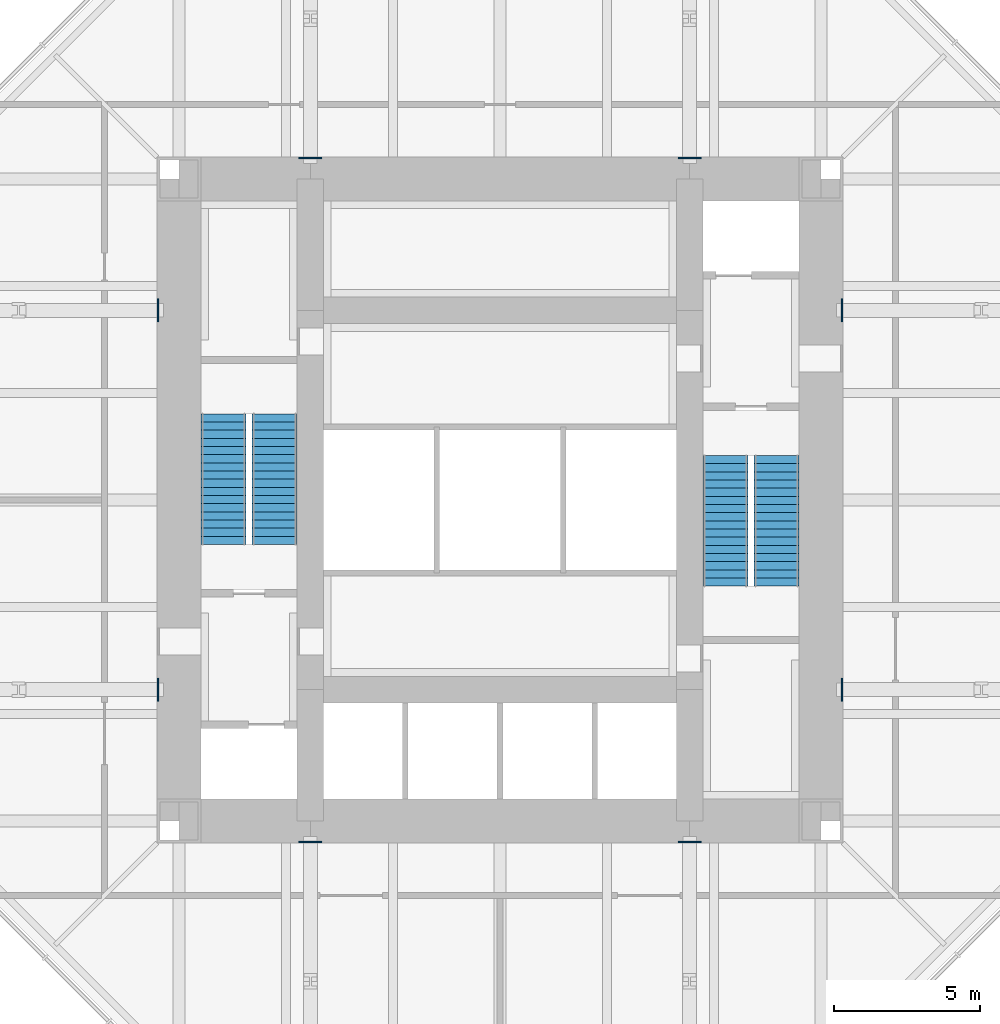
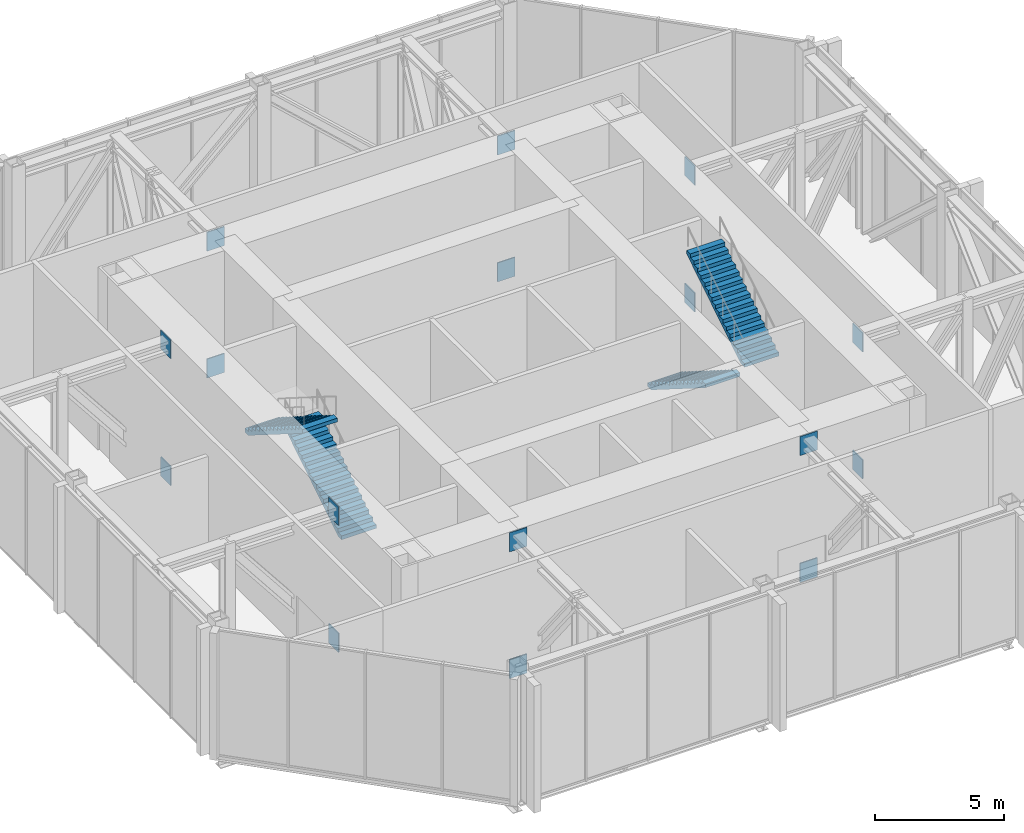
# One storey, part 10 of 11: 16 discrete accessories, 4 stair flights, 2 elements without a shape of their own.
"""IFC4 building model written with IfcOpenShell, lengths in metres."""

from ifc_helpers import new_model, si_unit, direction, frame, origin, origin_2d, place, context, subcontext, project, spatial, polyline, rectangle, outline, extrude, material, type_object, element, aggregate, save


model = new_model("IFC4")

# Units and contexts
model_context = context("Model", 3, precision=1e-05, world=origin(), true_north=direction((0.0, 1.0)))
body_context = subcontext(model_context, "Body", "Model", "MODEL_VIEW")
ifc_project = project(units=[si_unit("LENGTHUNIT", "METRE"), si_unit("AREAUNIT", "SQUARE_METRE"), si_unit("VOLUMEUNIT", "CUBIC_METRE"), si_unit("PLANEANGLEUNIT", "RADIAN"), si_unit("MASSUNIT", "GRAM", prefix="KILO")], contexts=[model_context])

# Site, building, storey
site_placement = place(None, origin())
site = spatial("IfcSite", under=ifc_project, at=site_placement, CompositionType="ELEMENT")
building_placement = place(site_placement, origin())
building = spatial("IfcBuilding", under=site, at=building_placement, Name="Trevanion Tower", CompositionType="ELEMENT")
storey_placement = place(building_placement, frame((0.0, 0.0, 257.199951171875)))
storey = spatial("IfcBuildingStorey", under=building, at=storey_placement, Name="L63", CompositionType="ELEMENT", Elevation=257.199951171875)

# Stair, stair flights
ifc_material_1 = material(Name="Concrete 5,000 psi on steel stringers", Category="concrete")
stair_type = type_object("IfcStairType", Name="ST stair", PredefinedType="HALF_TURN_STAIR", material=ifc_material_1)
stair_1_placement = place(storey_placement, origin())
stair_1 = element("IfcStair", 1, at=stair_1_placement, inside=storey, type_object=stair_type, Name="ST1 L63", PredefinedType="HALF_TURN_STAIR")
ifc_material_2 = material(Name="Concrete 5,000 psi in steel pan", Category="concrete")
stair_flight_type = type_object("IfcStairFlightType", Name="STF stair flight", PredefinedType="STRAIGHT", material=ifc_material_2)
stair_flight_1_placement = place(storey_placement, frame((7.72509765625, 1.52490234375, 0.0), z_axis=(0.0, 0.0, 1.0), x_axis=(0.0, -1.0, 0.0)))
stair_flight_1 = element("IfcStairFlight", 2, at=stair_flight_1_placement, type_object=stair_flight_type, Name="ST1 flight 1", NumberOfRisers=17, NumberOfTreads=16, PredefinedType="STRAIGHT", RiserHeight=0.176470588, TreadLength=0.28, context=body_context, shape_type="SweptSolid", body=[
    extrude(outline(polyline([(0.0, 0.0), (0.0, 0.176513671875), (0.280029296875, 0.176513671875), (0.280029296875, 0.35302734375), (0.56005859375, 0.35302734375), (0.56005859375, 0.529296875), (0.840087890625, 0.529296875), (0.840087890625, 0.705810546875), (1.1201171875, 0.705810546875), (1.1201171875, 0.88232421875), (1.39990234375, 0.88232421875), (1.39990234375, 1.058837890625), (1.679931640625, 1.058837890625), (1.679931640625, 1.2353515625), (1.9599609375, 1.2353515625), (1.9599609375, 1.411865234375), (2.239990234375, 1.411865234375), (2.239990234375, 1.588134765625), (2.52001953125, 1.588134765625), (2.52001953125, 1.7646484375), (2.800048828125, 1.7646484375), (2.800048828125, 1.941162109375), (3.080078125, 1.941162109375), (3.080078125, 2.11767578125), (3.360107421875, 2.11767578125), (3.360107421875, 2.294189453125), (3.639892578125, 2.294189453125), (3.639892578125, 2.470703125), (3.919921875, 2.470703125), (3.919921875, 2.64697265625), (4.199951171875, 2.64697265625), (4.199951171875, 2.823486328125), (4.47998046875, 2.823486328125), (4.47998046875, 3.0), (4.47998046875, 2.646240234375), (0.28125, 0.0), (0.0, 0.0)])), frame((0.0, 0.77490234375, 0.0), z_axis=(0.0, -1.0, 0.0), x_axis=(1.0, 0.0, 0.0)), (0.0, 0.0, 1.0), 1.550048828125),
])
stair_flight_2_placement = place(storey_placement, frame((9.47509765625, -2.955078125, 3.0), z_axis=(0.0, 0.0, 1.0), x_axis=(0.0, 1.0, 0.0)))
stair_flight_2 = element("IfcStairFlight", 3, at=stair_flight_2_placement, type_object=stair_flight_type, Name="ST1 flight 2", NumberOfRisers=17, NumberOfTreads=16, PredefinedType="STRAIGHT", RiserHeight=0.176470588, TreadLength=0.28, context=body_context, shape_type="SweptSolid", body=[
    extrude(outline(polyline([(0.0, 0.0), (0.0, 0.176513671875), (0.280029296875, 0.176513671875), (0.280029296875, 0.35302734375), (0.56005859375, 0.35302734375), (0.56005859375, 0.529296875), (0.840087890625, 0.529296875), (0.840087890625, 0.705810546875), (1.1201171875, 0.705810546875), (1.1201171875, 0.88232421875), (1.39990234375, 0.88232421875), (1.39990234375, 1.058837890625), (1.679931640625, 1.058837890625), (1.679931640625, 1.2353515625), (1.9599609375, 1.2353515625), (1.9599609375, 1.411865234375), (2.239990234375, 1.411865234375), (2.239990234375, 1.588134765625), (2.52001953125, 1.588134765625), (2.52001953125, 1.7646484375), (2.800048828125, 1.7646484375), (2.800048828125, 1.941162109375), (3.080078125, 1.941162109375), (3.080078125, 2.11767578125), (3.360107421875, 2.11767578125), (3.360107421875, 2.294189453125), (3.639892578125, 2.294189453125), (3.639892578125, 2.470703125), (3.919921875, 2.470703125), (3.919921875, 2.64697265625), (4.199951171875, 2.64697265625), (4.199951171875, 2.823486328125), (4.47998046875, 2.823486328125), (4.47998046875, 3.0), (4.47998046875, 2.646240234375), (0.28125, 0.0), (0.0, 0.0)])), frame((0.0, 0.77490234375, 0.0), z_axis=(0.0, -1.0, 0.0), x_axis=(1.0, 0.0, 0.0)), (0.0, 0.0, 1.0), 1.550048828125),
])
aggregate(stair_1, [stair_flight_1, stair_flight_2])

stair_2_placement = place(storey_placement, origin())
stair_2 = element("IfcStair", 4, at=stair_2_placement, inside=storey, type_object=stair_type, Name="ST2 L63", PredefinedType="HALF_TURN_STAIR")
stair_flight_3_placement = place(storey_placement, frame((-7.72509765625, -1.52490234375, 0.0), z_axis=(0.0, 0.0, 1.0), x_axis=(0.0, 1.0, 0.0)))
stair_flight_3 = element("IfcStairFlight", 5, at=stair_flight_3_placement, type_object=stair_flight_type, Name="ST2 flight 1", NumberOfRisers=17, NumberOfTreads=16, PredefinedType="STRAIGHT", RiserHeight=0.176470588, TreadLength=0.28, context=body_context, shape_type="SweptSolid", body=[
    extrude(outline(polyline([(0.0, 0.0), (0.0, 0.176513671875), (0.280029296875, 0.176513671875), (0.280029296875, 0.35302734375), (0.56005859375, 0.35302734375), (0.56005859375, 0.529296875), (0.840087890625, 0.529296875), (0.840087890625, 0.705810546875), (1.1201171875, 0.705810546875), (1.1201171875, 0.88232421875), (1.39990234375, 0.88232421875), (1.39990234375, 1.058837890625), (1.679931640625, 1.058837890625), (1.679931640625, 1.2353515625), (1.9599609375, 1.2353515625), (1.9599609375, 1.411865234375), (2.239990234375, 1.411865234375), (2.239990234375, 1.588134765625), (2.52001953125, 1.588134765625), (2.52001953125, 1.7646484375), (2.800048828125, 1.7646484375), (2.800048828125, 1.941162109375), (3.080078125, 1.941162109375), (3.080078125, 2.11767578125), (3.360107421875, 2.11767578125), (3.360107421875, 2.294189453125), (3.639892578125, 2.294189453125), (3.639892578125, 2.470703125), (3.919921875, 2.470703125), (3.919921875, 2.64697265625), (4.199951171875, 2.64697265625), (4.199951171875, 2.823486328125), (4.47998046875, 2.823486328125), (4.47998046875, 3.0), (4.47998046875, 2.646240234375), (0.28125, 0.0), (0.0, 0.0)])), frame((0.0, 0.77490234375, 0.0), z_axis=(0.0, -1.0, 0.0), x_axis=(1.0, 0.0, 0.0)), (0.0, 0.0, 1.0), 1.550048828125),
])
stair_flight_4_placement = place(storey_placement, frame((-9.47509765625, 2.955078125, 3.0), z_axis=(0.0, 0.0, 1.0), x_axis=(0.0, -1.0, 0.0)))
stair_flight_4 = element("IfcStairFlight", 6, at=stair_flight_4_placement, type_object=stair_flight_type, Name="ST2 flight 2", NumberOfRisers=17, NumberOfTreads=16, PredefinedType="STRAIGHT", RiserHeight=0.176470588, TreadLength=0.28, context=body_context, shape_type="SweptSolid", body=[
    extrude(outline(polyline([(0.0, 0.0), (0.0, 0.176513671875), (0.280029296875, 0.176513671875), (0.280029296875, 0.35302734375), (0.56005859375, 0.35302734375), (0.56005859375, 0.529296875), (0.840087890625, 0.529296875), (0.840087890625, 0.705810546875), (1.1201171875, 0.705810546875), (1.1201171875, 0.88232421875), (1.39990234375, 0.88232421875), (1.39990234375, 1.058837890625), (1.679931640625, 1.058837890625), (1.679931640625, 1.2353515625), (1.9599609375, 1.2353515625), (1.9599609375, 1.411865234375), (2.239990234375, 1.411865234375), (2.239990234375, 1.588134765625), (2.52001953125, 1.588134765625), (2.52001953125, 1.7646484375), (2.800048828125, 1.7646484375), (2.800048828125, 1.941162109375), (3.080078125, 1.941162109375), (3.080078125, 2.11767578125), (3.360107421875, 2.11767578125), (3.360107421875, 2.294189453125), (3.639892578125, 2.294189453125), (3.639892578125, 2.470703125), (3.919921875, 2.470703125), (3.919921875, 2.64697265625), (4.199951171875, 2.64697265625), (4.199951171875, 2.823486328125), (4.47998046875, 2.823486328125), (4.47998046875, 3.0), (4.47998046875, 2.646240234375), (0.28125, 0.0), (0.0, 0.0)])), frame((0.0, 0.77490234375, 0.0), z_axis=(0.0, -1.0, 0.0), x_axis=(1.0, 0.0, 0.0)), (0.0, 0.0, 1.0), 1.550048828125),
])
aggregate(stair_2, [stair_flight_3, stair_flight_4])

# Discrete accessories
ifc_material_3 = material(Name="Steel ASTM A572 Grade 50", Category="steel")
discrete_accessory_type = type_object("IfcDiscreteAccessoryType", Name="TT3 cast-in plate 50", PredefinedType="ANCHORPLATE", material=ifc_material_3)
for number, where, z_axis, x_axis, name in (
    (7, (11.72509765625, -6.5, -0.939453125), (0.0, 0.0, 1.0), (1.0, 0.0, 0.0), "TT3 15/G cast-in plate in the core wall, bottom chord node"),
    (8, (11.72509765625, -6.5, 5.060546875), (0.0, 0.0, 1.0), (1.0, 0.0, 0.0), "TT3 15/G cast-in plate in the core wall, top chord node"),
    (9, (6.5, 11.72509765625, -0.939453125), (0.0, 0.0, 1.0), (0.0, 1.0, 0.0), "TT3 11/N cast-in plate in the core wall, bottom chord node"),
    (10, (6.5, 11.72509765625, 5.060546875), (0.0, 0.0, 1.0), (0.0, 1.0, 0.0), "TT3 11/N cast-in plate in the core wall, top chord node"),
    (11, (-11.72509765625, 6.5, -0.939453125), (0.0, 0.0, 1.0), (-1.0, 0.0, 0.0), "TT3 5/J cast-in plate in the core wall, bottom chord node"),
    (12, (-11.72509765625, 6.5, 5.060546875), (0.0, 0.0, 1.0), (-1.0, 0.0, 0.0), "TT3 5/J cast-in plate in the core wall, top chord node"),
    (13, (-6.5, -11.72509765625, -0.939453125), (0.0, 0.0, 1.0), (0.0, -1.0, 0.0), "TT3 9/C cast-in plate in the core wall, bottom chord node"),
    (14, (-6.5, -11.72509765625, 5.060546875), (0.0, 0.0, 1.0), (0.0, -1.0, 0.0), "TT3 9/C cast-in plate in the core wall, top chord node"),
    (15, (11.72509765625, 6.5, -0.939453125), (0.0, 0.0, 1.0), (1.0, 0.0, 0.0), "TT3 15/J cast-in plate in the core wall, bottom chord node"),
    (16, (11.72509765625, 6.5, 5.060546875), (0.0, 0.0, 1.0), (1.0, 0.0, 0.0), "TT3 15/J cast-in plate in the core wall, top chord node"),
    (17, (-6.5, 11.72509765625, -0.939453125), (0.0, 0.0, 1.0), (0.0, 1.0, 0.0), "TT3 9/N cast-in plate in the core wall, bottom chord node"),
    (18, (-6.5, 11.72509765625, 5.060546875), (0.0, 0.0, 1.0), (0.0, 1.0, 0.0), "TT3 9/N cast-in plate in the core wall, top chord node"),
    (19, (-11.72509765625, -6.5, -0.939453125), (0.0, 0.0, 1.0), (-1.0, 0.0, 0.0), "TT3 5/G cast-in plate in the core wall, bottom chord node"),
    (20, (-11.72509765625, -6.5, 5.060546875), (0.0, 0.0, 1.0), (-1.0, 0.0, 0.0), "TT3 5/G cast-in plate in the core wall, top chord node"),
    (21, (6.5, -11.72509765625, -0.939453125), (0.0, 0.0, 1.0), (0.0, -1.0, 0.0), "TT3 11/C cast-in plate in the core wall, bottom chord node"),
    (22, (6.5, -11.72509765625, 5.060546875), (0.0, 0.0, 1.0), (0.0, -1.0, 0.0), "TT3 11/C cast-in plate in the core wall, top chord node"),
):
    element("IfcDiscreteAccessory", number, at=place(storey_placement, frame(where, z_axis=z_axis, x_axis=x_axis)), inside=storey, type_object=discrete_accessory_type, Name=name, PredefinedType="ANCHORPLATE", context=body_context, shape_type="SweptSolid", body=[
        extrude(rectangle(XDim=0.050048828125, YDim=0.777587890625, at=origin_2d()), origin(), (0.0, 0.0, 1.0), 0.8994140625),
    ])

save(model, "model.ifc")
